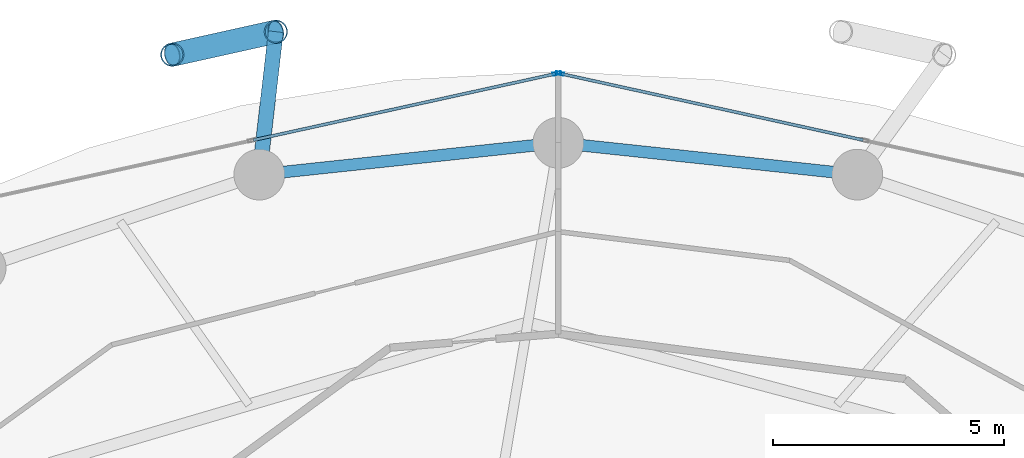
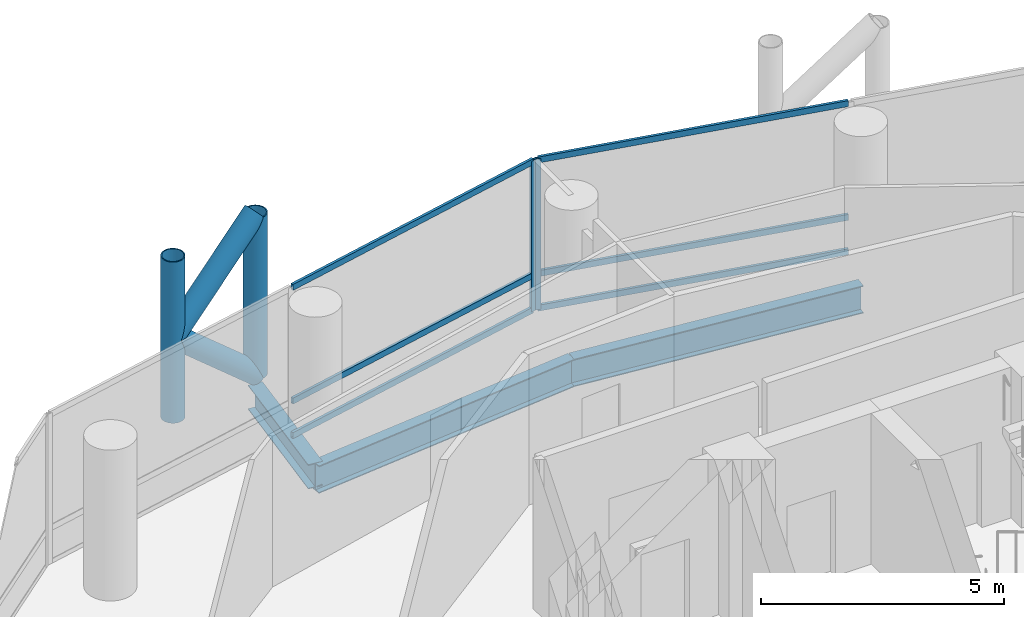
# One storey, part 16 of 25: 12 members, 3 beams, 2 elements without a shape of their own.
"""IFC4 building model written with IfcOpenShell, lengths in metres."""

from ifc_helpers import new_model, si_unit, direction, frame, origin, origin_2d, place, context, subcontext, project, spatial, hollow_rectangle, hollow_circle, i_section, extrude, material, layer, layer_set, material_profile, profile_set, type_object, element, aggregate, save


model = new_model("IFC4")

# Units and contexts
model_context = context("Model", 3, precision=1e-05, world=origin(), true_north=direction((0.0, 1.0)))
body_context = subcontext(model_context, "Body", "Model", "MODEL_VIEW")
ifc_project = project(units=[si_unit("LENGTHUNIT", "METRE"), si_unit("AREAUNIT", "SQUARE_METRE"), si_unit("VOLUMEUNIT", "CUBIC_METRE"), si_unit("PLANEANGLEUNIT", "RADIAN"), si_unit("MASSUNIT", "GRAM", prefix="KILO")], contexts=[model_context])

# Site, building, storey
site_placement = place(None, origin())
site = spatial("IfcSite", under=ifc_project, at=site_placement, CompositionType="ELEMENT")
building_placement = place(site_placement, origin())
building = spatial("IfcBuilding", under=site, at=building_placement, Name="Nuhasar Tower", CompositionType="ELEMENT")
storey_placement = place(building_placement, frame((0.0, 0.0, 49.35009765625)))
storey = spatial("IfcBuildingStorey", under=building, at=storey_placement, Name="L11", CompositionType="ELEMENT", Elevation=49.35009765625)

# Beams
ifc_material_1 = material(Name="Steel S355", Category="steel")
ifc_material_profile_1 = material_profile(ifc_material_1, i_section(OverallWidth=0.256103515625, OverallDepth=0.693115234375, WebThickness=0.014404296875, FlangeThickness=0.023681640625, at=origin_2d()), Name="W27X114")
ifc_profile_set_1 = profile_set([ifc_material_profile_1], Name="Steel S355")
beam_type_1 = type_object("IfcBeamType", Name="BM-RING-W27X114", PredefinedType="SPANDREL", material=ifc_profile_set_1)
for number, where, z_axis, x_axis, name in (
    (1, (45.48291015625, 46.360107421875, -0.606201171875), (-0.994384554061, 0.105827022286, 0.0), (-0.105827022286, -0.994384554061, 0.0), "L11 Perimeter Ring Spandrel 06"),
    (2, (39.0, 47.050048828125, -0.606201171875), (-0.994384554061, -0.105827022286, 0.0), (0.105827022286, -0.994384554061, 0.0), "L11 Perimeter Ring Spandrel 07"),
):
    element("IfcBeam", number, at=place(storey_placement, frame(where, z_axis=z_axis, x_axis=x_axis)), inside=storey, type_object=beam_type_1, Name=name, PredefinedType="SPANDREL", context=body_context, shape_type="SweptSolid", body=[
        extrude(i_section(OverallWidth=0.256103515625, OverallDepth=0.693115234375, WebThickness=0.014404296875, FlangeThickness=0.023681640625, at=origin_2d()), origin(), (0.0, 0.0, 1.0), 6.51953125),
    ])
ifc_material_profile_2 = material_profile(ifc_material_1, i_section(OverallWidth=0.323974609375, OverallDepth=0.611083984375, WebThickness=0.0126953125, FlangeThickness=0.01904296875, at=origin_2d()), Name="W24X104")
ifc_profile_set_2 = profile_set([ifc_material_profile_2], Name="Steel S355")
beam_type_2 = type_object("IfcBeamType", Name="BM-TIE-W24X104", PredefinedType="BEAM", material=ifc_profile_set_2)
beam_placement = place(storey_placement, frame((32.51708984375, 46.360107421875, -0.565185546875), z_axis=(0.115042934281, 0.993360520291, 0.0), x_axis=(-0.993360520291, 0.115042934281, 0.0)))
element("IfcBeam", 3, at=beam_placement, inside=storey, type_object=beam_type_2, Name="L11 Exoskeleton Node Tie Beam 04", PredefinedType="BEAM", context=body_context, shape_type="SweptSolid", body=[
    extrude(i_section(OverallWidth=0.323974609375, OverallDepth=0.611083984375, WebThickness=0.0126953125, FlangeThickness=0.01904296875, at=origin_2d()), origin(), (0.0, 0.0, 1.0), 3.11962890625),
])

# Curtain wall, member
ifc_material_2 = material(Name="Aluminium 6063-T6", Category="aluminium")
ifc_layer = layer(ifc_material_2, 0.199951171875)
ifc_layer_set = layer_set([ifc_layer], Name="Aluminium 6063-T6")
curtain_wall_type = type_object("IfcCurtainWallType", Name="CW-Z1-OFF", PredefinedType="NOTDEFINED", material=ifc_layer_set)
curtain_wall_1_placement = place(storey_placement, origin())
curtain_wall_1 = element("IfcCurtainWall", 4, at=curtain_wall_1_placement, inside=storey, type_object=curtain_wall_type, Name="L11 Unitised Curtain Wall 03", PredefinedType="NOTDEFINED")
ifc_material_profile_3 = material_profile(ifc_material_2, hollow_rectangle(XDim=0.06494140625, YDim=0.179931640625, WallThickness=0.0048828125, at=origin_2d()), Name="CWM-2")
ifc_profile_set_3 = profile_set([ifc_material_profile_3], Name="Aluminium 6063-T6")
member_type_1 = type_object("IfcMemberType", Name="CW-MUL-S2", PredefinedType="MULLION", material=ifc_profile_set_3)
member_1_placement = place(storey_placement, frame((39.03173828125, 48.552978515625, 0.0), z_axis=(0.0, 0.0, 1.0), x_axis=(-0.214398737637, -0.976746221544, 0.0)))
member_1 = element("IfcMember", 5, at=member_1_placement, type_object=member_type_1, Name="CW-Z1 mullion 3", PredefinedType="MULLION", context=body_context, shape_type="SweptSolid", body=[
    extrude(hollow_rectangle(XDim=0.06494140625, YDim=0.179931640625, WallThickness=0.0048828125, at=origin_2d()), origin(), (0.0, 0.0, 1.0), 3.789794921875),
])

curtain_wall_2_placement = place(storey_placement, origin())
curtain_wall_2 = element("IfcCurtainWall", 6, at=curtain_wall_2_placement, inside=storey, type_object=curtain_wall_type, Name="L11 Unitised Curtain Wall 04", PredefinedType="NOTDEFINED")
member_2_placement = place(storey_placement, frame((38.96826171875, 48.552978515625, 0.0), z_axis=(0.0, 0.0, 1.0), x_axis=(0.214398737637, -0.976746221544, 0.0)))
member_2 = element("IfcMember", 7, at=member_2_placement, type_object=member_type_1, Name="CW-Z1 mullion 1", PredefinedType="MULLION", context=body_context, shape_type="SweptSolid", body=[
    extrude(hollow_rectangle(XDim=0.06494140625, YDim=0.179931640625, WallThickness=0.0048828125, at=origin_2d()), origin(), (0.0, 0.0, 1.0), 3.789794921875),
])

# Member
ifc_material_profile_4 = material_profile(ifc_material_2, hollow_rectangle(XDim=0.06494140625, YDim=0.14990234375, WallThickness=0.00439453125, at=origin_2d()), Name="CWT-2")
ifc_profile_set_4 = profile_set([ifc_material_profile_4], Name="Aluminium 6063-T6")
member_type_2 = type_object("IfcMemberType", Name="CW-TRN-S2", PredefinedType="USERDEFINED", material=ifc_profile_set_4)
member_3_placement = place(storey_placement, frame((45.608154296875, 47.109375, 0.032470703125), z_axis=(-0.976740248595, 0.214425947065, 0.0), x_axis=(-0.214425947065, -0.976740248595, 0.0)))
member_3 = element("IfcMember", 8, at=member_3_placement, type_object=member_type_2, Name="CW-Z1 transom 2.1", ObjectType="TRANSOM", PredefinedType="USERDEFINED", context=body_context, shape_type="SweptSolid", body=[
    extrude(hollow_rectangle(XDim=0.06494140625, YDim=0.14990234375, WallThickness=0.00439453125, at=origin_2d()), origin(), (0.0, 0.0, 1.0), 6.700439453125),
])

member_4_placement = place(storey_placement, frame((45.608154296875, 47.109375, 0.89990234375), z_axis=(-0.976740248595, 0.214425947065, 0.0), x_axis=(-0.214425947065, -0.976740248595, 0.0)))
member_4 = element("IfcMember", 9, at=member_4_placement, type_object=member_type_2, Name="CW-Z1 transom 2.2", ObjectType="TRANSOM", PredefinedType="USERDEFINED", context=body_context, shape_type="SweptSolid", body=[
    extrude(hollow_rectangle(XDim=0.06494140625, YDim=0.14990234375, WallThickness=0.00439453125, at=origin_2d()), origin(), (0.0, 0.0, 1.0), 6.700439453125),
])

member_5_placement = place(storey_placement, frame((45.608154296875, 47.109375, 3.75732421875), z_axis=(-0.976740248595, 0.214425947065, 0.0), x_axis=(-0.214425947065, -0.976740248595, 0.0)))
member_5 = element("IfcMember", 10, at=member_5_placement, type_object=member_type_2, Name="CW-Z1 transom 2.3", ObjectType="TRANSOM", PredefinedType="USERDEFINED", context=body_context, shape_type="SweptSolid", body=[
    extrude(hollow_rectangle(XDim=0.06494140625, YDim=0.14990234375, WallThickness=0.00439453125, at=origin_2d()), origin(), (0.0, 0.0, 1.0), 6.700439453125),
])

aggregate(curtain_wall_1, [member_1, member_3, member_4, member_5])

member_6_placement = place(storey_placement, frame((38.9365234375, 48.546142578125, 0.032470703125), z_axis=(-0.976740248595, -0.214425947065, 0.0), x_axis=(0.214425947065, -0.976740248595, 0.0)))
member_6 = element("IfcMember", 11, at=member_6_placement, type_object=member_type_2, Name="CW-Z1 transom 1.1", ObjectType="TRANSOM", PredefinedType="USERDEFINED", context=body_context, shape_type="SweptSolid", body=[
    extrude(hollow_rectangle(XDim=0.06494140625, YDim=0.14990234375, WallThickness=0.00439453125, at=origin_2d()), origin(), (0.0, 0.0, 1.0), 6.700439453125),
])

member_7_placement = place(storey_placement, frame((38.9365234375, 48.546142578125, 0.89990234375), z_axis=(-0.976740248595, -0.214425947065, 0.0), x_axis=(0.214425947065, -0.976740248595, 0.0)))
member_7 = element("IfcMember", 12, at=member_7_placement, type_object=member_type_2, Name="CW-Z1 transom 1.2", ObjectType="TRANSOM", PredefinedType="USERDEFINED", context=body_context, shape_type="SweptSolid", body=[
    extrude(hollow_rectangle(XDim=0.06494140625, YDim=0.14990234375, WallThickness=0.00439453125, at=origin_2d()), origin(), (0.0, 0.0, 1.0), 6.700439453125),
])

member_8_placement = place(storey_placement, frame((38.9365234375, 48.546142578125, 3.75732421875), z_axis=(-0.976740248595, -0.214425947065, 0.0), x_axis=(0.214425947065, -0.976740248595, 0.0)))
member_8 = element("IfcMember", 13, at=member_8_placement, type_object=member_type_2, Name="CW-Z1 transom 1.3", ObjectType="TRANSOM", PredefinedType="USERDEFINED", context=body_context, shape_type="SweptSolid", body=[
    extrude(hollow_rectangle(XDim=0.06494140625, YDim=0.14990234375, WallThickness=0.00439453125, at=origin_2d()), origin(), (0.0, 0.0, 1.0), 6.700439453125),
])

aggregate(curtain_wall_2, [member_2, member_6, member_7, member_8])

# Members
ifc_material_3 = material(Name="Steel S460", Category="steel")
ifc_material_profile_5 = material_profile(ifc_material_3, hollow_circle(Radius=0.25390625, WallThickness=0.025390625, at=origin_2d()), Name="HSS508X25.4")
ifc_profile_set_5 = profile_set([ifc_material_profile_5], Name="Steel S460")
member_type_3 = type_object("IfcMemberType", Name="EXO-BRONZE-508", PredefinedType="BRACE", material=ifc_profile_set_5)
for number, where, z_axis, x_axis, name in (
    (14, (32.8759765625, 49.458984375, 0.0), (0.0, 0.0, 1.0), (1.0, 0.0, 0.0), "L11 Exoskeleton Chord Column EC-04A"),
    (15, (30.6298828125, 48.9599609375, 0.0), (0.0, 0.0, 1.0), (1.0, 0.0, 0.0), "L11 Exoskeleton Chord Column EC-04B"),
):
    element("IfcMember", number, at=place(storey_placement, frame(where, z_axis=z_axis, x_axis=x_axis)), inside=storey, type_object=member_type_3, Name=name, PredefinedType="BRACE", context=body_context, shape_type="SweptSolid", body=[
        extrude(hollow_circle(Radius=0.25390625, WallThickness=0.025390625, at=origin_2d()), origin(), (0.0, 0.0, 1.0), 4.0498046875),
    ])
for number, where, z_axis, x_axis, name in (
    (16, (32.8759765625, 49.458984375, 0.0), (-0.732821471909, -0.162813813976, 0.660654487828), (0.216885517571, -0.97619704582, 0.0), "L11 Bronze Diagrid Brace W1-04"),
    (17, (30.6298828125, 48.9599609375, 2.02490234375), (0.732821471909, 0.162813813976, 0.660654487828), (-0.216885517571, 0.97619704582, 0.0), "L11 Bronze Diagrid Brace W2-04"),
):
    element("IfcMember", number, at=place(storey_placement, frame(where, z_axis=z_axis, x_axis=x_axis)), inside=storey, type_object=member_type_3, Name=name, PredefinedType="BRACE", context=body_context, shape_type="SweptSolid", body=[
        extrude(hollow_circle(Radius=0.25390625, WallThickness=0.025390625, at=origin_2d()), origin(), (0.0, 0.0, 1.0), 3.06494140625),
    ])

save(model, "model.ifc")
